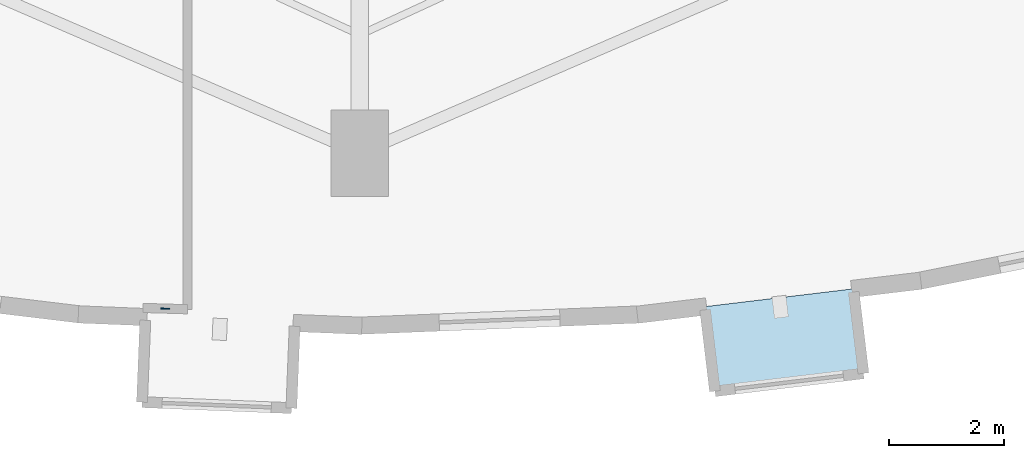
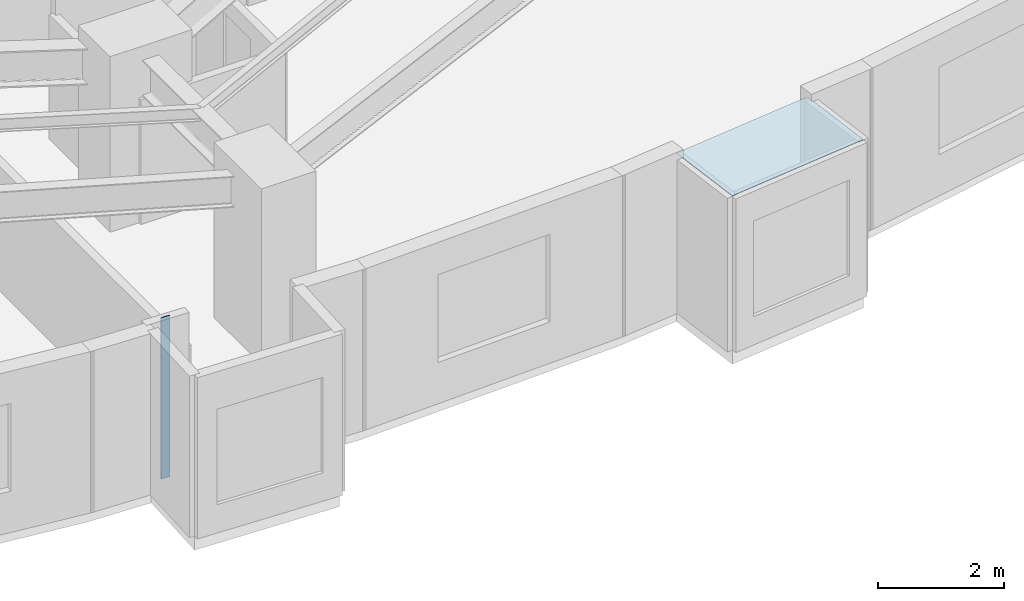
# One storey, part 2 of 13: 2 plates.
"""IFC4 building model written with IfcOpenShell, lengths in metres."""

from ifc_helpers import new_model, si_unit, direction, frame, origin, origin_2d, place, context, subcontext, project, spatial, polyline, rectangle, outline, extrude, material, layer, layer_set, type_object, element, save


model = new_model("IFC4")

# Units and contexts
model_context = context("Model", 3, precision=1e-05, world=origin(), true_north=direction((0.0, 1.0)))
body_context = subcontext(model_context, "Body", "Model", "MODEL_VIEW")
ifc_project = project(units=[si_unit("LENGTHUNIT", "METRE"), si_unit("AREAUNIT", "SQUARE_METRE"), si_unit("VOLUMEUNIT", "CUBIC_METRE"), si_unit("PLANEANGLEUNIT", "RADIAN"), si_unit("MASSUNIT", "GRAM", prefix="KILO")], contexts=[model_context])

# Site, building, storey
site_placement = place(None, origin())
site = spatial("IfcSite", under=ifc_project, at=site_placement, CompositionType="ELEMENT")
building_placement = place(site_placement, origin())
building = spatial("IfcBuilding", under=site, at=building_placement, Name="Miruveldt Soraemaru", CompositionType="ELEMENT")
storey_placement = place(building_placement, frame((0.0, 0.0, 49.60009765625)))
storey = spatial("IfcBuildingStorey", under=building, at=storey_placement, Name="L13", CompositionType="ELEMENT", Elevation=49.60009765625)

# Plates
ifc_material_1 = material(Name="Anodised aluminium EN AW-6063 T6", Category="aluminium")
ifc_layer_1 = layer(ifc_material_1, 0.02001953125, Name="Anodised aluminium EN AW-6063 T6", Category="aluminium")
ifc_layer_set_1 = layer_set([ifc_layer_1], Name="Anodised aluminium EN AW-6063 T6")
plate_type_1 = type_object("IfcPlateType", Name="PLT-PART-TRIM", PredefinedType="SHEET", material=ifc_layer_set_1)
plate_1_placement = place(storey_placement, frame((40.615478515625, 22.680908203125, 0.0), z_axis=(0.0, 0.0, 1.0), x_axis=(-0.999528245637, 0.030712964265, 0.0)))
element("IfcPlate", 1, at=plate_1_placement, inside=storey, type_object=plate_type_1, Name="L13 Partition Step Corner Trim Plate 001", PredefinedType="SHEET", context=body_context, shape_type="SweptSolid", body=[
    extrude(rectangle(XDim=0.159912109375, YDim=0.02001953125, at=origin_2d()), origin(), (0.0, 0.0, 1.0), 3.125),
])
ifc_material_2 = material(Name="Standing-seam titanium-zinc sheet", Category="aluminium")
ifc_layer_2 = layer(ifc_material_2, 0.011962890625, Name="Standing-seam titanium-zinc sheet", Category="aluminium")
ifc_layer_set_2 = layer_set([ifc_layer_2], Name="Standing-seam titanium-zinc sheet")
plate_type_2 = type_object("IfcPlateType", Name="PLT-ZINC-12", PredefinedType="SHEET", material=ifc_layer_set_2)
plate_2_placement = place(storey_placement, frame((0.0, 0.0, 2.974853515625)))
element("IfcPlate", 2, at=plate_2_placement, inside=storey, type_object=plate_type_2, Name="L13 Bay Window Zinc Hood Sheet 4", PredefinedType="SHEET", context=body_context, shape_type="SweptSolid", body=[
    extrude(outline(polyline([(49.997802734375, 22.71484375), (52.579345703125, 23.0244140625), (52.755615234375, 21.554931640625), (50.174072265625, 21.245361328125), (49.997802734375, 22.71484375)])), origin(), (0.0, 0.0, 1.0), 0.011962890625),
])

save(model, "model.ifc")
